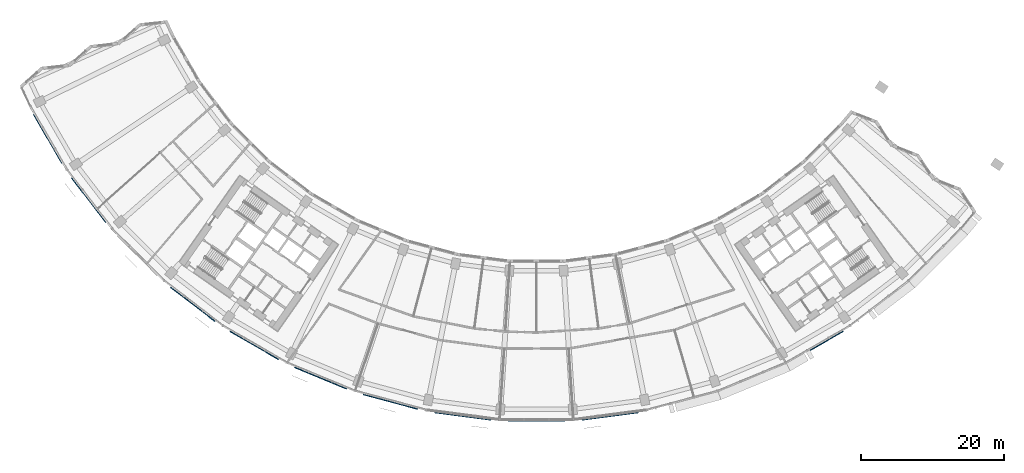
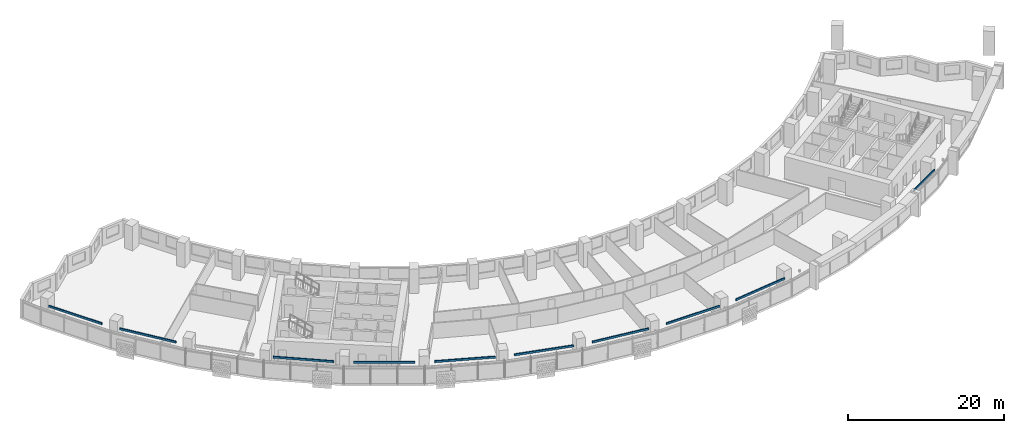
# One storey, part 9 of 29: 10 discrete accessories.
"""IFC4 building model written with IfcOpenShell, lengths in metres."""

from ifc_helpers import new_model, si_unit, direction, frame, origin, origin_2d, place, context, subcontext, project, spatial, rectangle, extrude, material, type_object, element, save


model = new_model("IFC4")

# Units and contexts
model_context = context("Model", 3, precision=1e-05, world=origin(), true_north=direction((0.0, 1.0)))
body_context = subcontext(model_context, "Body", "Model", "MODEL_VIEW")
ifc_project = project(units=[si_unit("LENGTHUNIT", "METRE"), si_unit("AREAUNIT", "SQUARE_METRE"), si_unit("VOLUMEUNIT", "CUBIC_METRE"), si_unit("PLANEANGLEUNIT", "RADIAN"), si_unit("MASSUNIT", "GRAM", prefix="KILO")], contexts=[model_context])

# Site, building, storey
site_placement = place(None, origin())
site = spatial("IfcSite", under=ifc_project, at=site_placement, CompositionType="ELEMENT")
building_placement = place(site_placement, origin())
building = spatial("IfcBuilding", under=site, at=building_placement, Name="Qamariyya Broadcast Tower", CompositionType="ELEMENT")
storey_placement = place(building_placement, frame((0.0, 0.0, 129.10009765625)))
storey = spatial("IfcBuildingStorey", under=building, at=storey_placement, Name="L29", CompositionType="ELEMENT", Elevation=129.10009765625)

# Discrete accessories
ifc_material = material(Name="Stainless steel 316", Category="steel")
discrete_accessory_type = type_object("IfcDiscreteAccessoryType", Name="Slab edge fixing angle, stainless steel", PredefinedType="BRACKET", material=ifc_material)
for number, where, z_axis, x_axis, name in (
    (1, (-68.59375, -39.6025390625, 3.2998046875), (0.0, 0.0, 1.0), (0.5, -0.866025403784, 0.0), "e-br-L29-01-0"),
    (2, (-62.837646484375, -48.217041015625, 3.2998046875), (0.0, 0.0, 1.0), (0.608761429009, -0.793353340291, 0.0), "e-br-L29-02-0"),
    (3, (-48.217041015625, -62.837646484375, 3.2998046875), (0.0, 0.0, 1.0), (0.793353340291, -0.608761429009, 0.0), "e-br-L29-04-0"),
    (4, (-39.6025390625, -68.59375, 3.2998046875), (0.0, 0.0, 1.0), (0.866025403784, -0.5, 0.0), "e-br-L29-05-0"),
    (5, (-30.310546875, -73.176025390625, 3.2998046875), (0.0, 0.0, 1.0), (0.923879532511, -0.382683432365, 0.0), "e-br-L29-06-0"),
    (6, (-20.499755859375, -76.50634765625, 3.2998046875), (0.0, 0.0, 1.0), (0.965925826289, -0.258819045103, 0.0), "e-br-L29-07-0"),
    (7, (-10.33837890625, -78.527587890625, 3.2998046875), (0.0, 0.0, 1.0), (0.991444861374, -0.13052619222, 0.0), "e-br-L29-08-0"),
    (8, (0.0, -79.205322265625, 3.2998046875), (0.0, 0.0, 1.0), (1.0, 0.0, 0.0), "e-br-L29-09-0"),
    (9, (10.33837890625, -78.527587890625, 3.2998046875), (0.0, 0.0, 1.0), (0.991444861374, 0.13052619222, 0.0), "e-br-L29-10-0"),
):
    element("IfcDiscreteAccessory", number, at=place(storey_placement, frame(where, z_axis=z_axis, x_axis=x_axis)), inside=storey, type_object=discrete_accessory_type, Name=name, PredefinedType="BRACKET", context=body_context, shape_type="SweptSolid", body=[
        extrude(rectangle(XDim=7.879638671875, YDim=0.14990234375, at=origin_2d()), origin(), (0.0, 0.0, 1.0), 0.300048828125),
    ])
discrete_accessory_placement = place(storey_placement, frame((40.7255859375, -67.9453125, 3.2998046875), z_axis=(0.0, 0.0, 1.0), x_axis=(0.866025403784, 0.5, 0.0)))
element("IfcDiscreteAccessory", 10, at=discrete_accessory_placement, inside=storey, type_object=discrete_accessory_type, Name="e-br-L29-13-0", PredefinedType="BRACKET", context=body_context, shape_type="SweptSolid", body=[
    extrude(rectangle(XDim=5.286376953125, YDim=0.14990234375, at=origin_2d()), origin(), (0.0, 0.0, 1.0), 0.300048828125),
])

save(model, "model.ifc")
